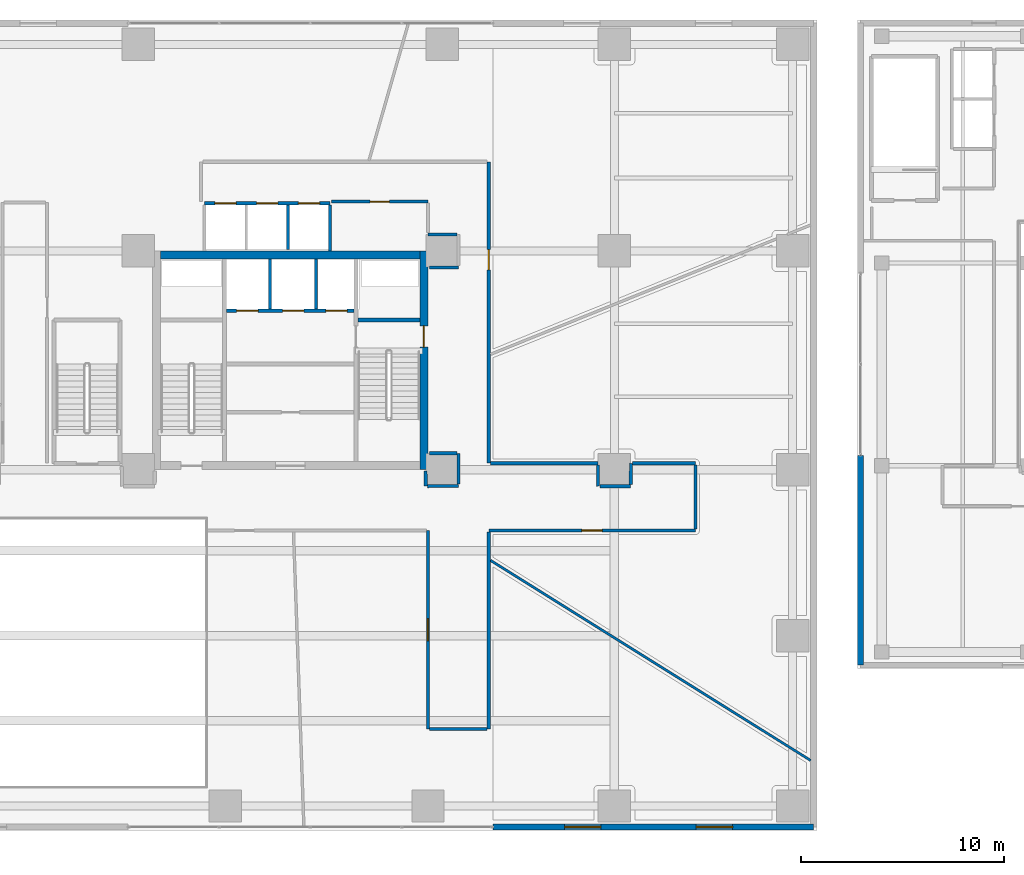
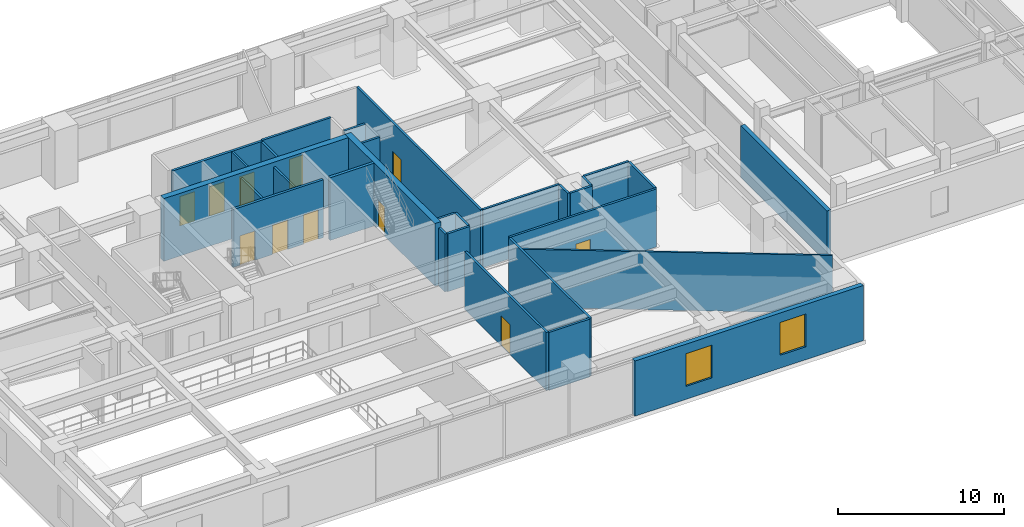
# One storey, part 18 of 25: 30 walls, 11 doors, 2 windows, 13 openings.
"""IFC4 building model written with IfcOpenShell, lengths in metres."""

from ifc_helpers import new_model, si_unit, direction, frame, frame_2d, origin, place, context, subcontext, project, spatial, rectangle, extrude, source, transform, mapped, material, layer, layer_set, type_object, type_shapes, element, fill, save


model = new_model("IFC4")

# Units and contexts
model_context = context("Model", 3, precision=1e-05, world=origin(), true_north=direction((0.0, 1.0)))
body_context = subcontext(model_context, "Body", "Model", "MODEL_VIEW")
ifc_project = project(units=[si_unit("LENGTHUNIT", "METRE"), si_unit("AREAUNIT", "SQUARE_METRE"), si_unit("VOLUMEUNIT", "CUBIC_METRE"), si_unit("PLANEANGLEUNIT", "RADIAN"), si_unit("MASSUNIT", "GRAM", prefix="KILO")], contexts=[model_context])

# Site, building, storey
site_placement = place(None, origin())
site = spatial("IfcSite", under=ifc_project, at=site_placement, CompositionType="ELEMENT")
building_placement = place(site_placement, origin())
building = spatial("IfcBuilding", under=site, at=building_placement, Name="Talar Marvaseh", CompositionType="ELEMENT")
storey_placement = place(building_placement, frame((0.0, 0.0, 14.39990234375)))
storey = spatial("IfcBuildingStorey", under=building, at=storey_placement, Name="L03", CompositionType="ELEMENT", Elevation=14.39990234375)

# Wall, openings, windows
ifc_material_1 = material(Name="Precast concrete C45/55", Category="concrete")
ifc_layer_1 = layer(ifc_material_1, 0.31005859375)
ifc_layer_set_1 = layer_set([ifc_layer_1], Name="Precast concrete C45/55")
wall_type_1 = type_object("IfcWallType", Name="Architectural Precast Limestone Podium Facade Wall 310", PredefinedType="SOLIDWALL", material=ifc_layer_set_1)
wall_1_placement = place(storey_placement, frame((51.840087890625, 8.159912109375, 0.0), z_axis=(0.0, 0.0, 1.0), x_axis=(-1.0, 0.0, 0.0)))
wall_1 = element("IfcWall", 1, at=wall_1_placement, inside=storey, type_object=wall_type_1, Name="L03 Podium South-East Facade Wall", PredefinedType="SOLIDWALL", context=body_context, shape_type="SweptSolid", body=[
    extrude(rectangle(XDim=15.840087890625, YDim=0.31005859375, at=frame_2d((7.919921875, 0.0))), origin(), (0.0, 0.0, 1.0), 4.050048828125),
])
opening_1_placement = place(wall_1_placement, frame((4.0, 0.0, 0.949951171875)))
opening_1 = element("IfcOpeningElement", 2, at=opening_1_placement, cuts=wall_1, Name="Opening WN-POD18", PredefinedType="OPENING", context=body_context, shape_type="SweptSolid", body=[
    extrude(rectangle(XDim=1.800048828125, YDim=2.39990234375, at=frame_2d((0.89990234375, 1.199951171875))), frame((0.0, 0.1650390625, 0.0), z_axis=(0.0, -1.0, 0.0), x_axis=(1.0, 0.0, 0.0)), (0.0, 0.0, 1.0), 0.330078125),
])
opening_2_placement = place(wall_1_placement, frame((10.5, 0.0, 0.949951171875)))
opening_2 = element("IfcOpeningElement", 3, at=opening_2_placement, cuts=wall_1, Name="Opening WN-POD18", PredefinedType="OPENING", context=body_context, shape_type="SweptSolid", body=[
    extrude(rectangle(XDim=1.800048828125, YDim=2.39990234375, at=frame_2d((0.89990234375, 1.199951171875))), frame((0.0, 0.1650390625, 0.0), z_axis=(0.0, -1.0, 0.0), x_axis=(1.0, 0.0, 0.0)), (0.0, 0.0, 1.0), 0.330078125),
])
ifc_material_2 = material(Name="Laminated Low-E Solar Glass", Category="glass")
window_type = type_object("IfcWindowType", Name="Podium Recessed Punched Solar Window 1800x2400", PartitioningType="SINGLE_PANEL", PredefinedType="WINDOW", material=ifc_material_2)
shared_shape_1 = source(origin(), body_context, "Body", "SweptSolid", [
    extrude(rectangle(XDim=1.800048828125, YDim=2.39990234375, at=frame_2d((0.89990234375, 1.199951171875))), frame((0.0, 0.030029296875, 0.0), z_axis=(0.0, -1.0, 0.0), x_axis=(1.0, 0.0, 0.0)), (0.0, 0.0, 1.0), 0.06005859375),
])
type_shapes(window_type, [shared_shape_1])
window_1_placement = place(opening_1_placement, origin())
window_1 = element("IfcWindow", 4, at=window_1_placement, inside=storey, type_object=window_type, Name="L03 Podium Solar Window", OverallHeight=2.39990234375, OverallWidth=1.800048828125, PartitioningType="SINGLE_PANEL", PredefinedType="WINDOW", context=body_context, shape_type="MappedRepresentation", body=[
    mapped(shared_shape_1, transform((0.0, 0.0, 0.0), x_axis=(1.0, 0.0, 0.0), y_axis=(0.0, 1.0, 0.0), z_axis=(0.0, 0.0, 1.0), scale=1.0)),
])
fill(opening_1, window_1)
window_2_placement = place(opening_2_placement, origin())
window_2 = element("IfcWindow", 5, at=window_2_placement, inside=storey, type_object=window_type, Name="L03 Podium Solar Window", OverallHeight=2.39990234375, OverallWidth=1.800048828125, PartitioningType="SINGLE_PANEL", PredefinedType="WINDOW", context=body_context, shape_type="MappedRepresentation", body=[
    mapped(shared_shape_1, transform((0.0, 0.0, 0.0), x_axis=(1.0, 0.0, 0.0), y_axis=(0.0, 1.0, 0.0), z_axis=(0.0, 0.0, 1.0), scale=1.0)),
])
fill(opening_2, window_2)

# Wall, opening, door
ifc_material_3 = material(Name="Gypsum Board Partition Assembly")
ifc_layer_2 = layer(ifc_material_3, 0.155029296875)
ifc_layer_set_2 = layer_set([ifc_layer_2], Name="Gypsum Board Partition Assembly")
wall_type_2 = type_object("IfcWallType", Name="Corridor Fire-Rated Acoustic Partition 155", PredefinedType="PARTITIONING", material=ifc_layer_set_2)
wall_2_placement = place(storey_placement, frame((32.800048828125, 13.0, 0.0), z_axis=(0.0, 0.0, 1.0), x_axis=(0.0, 1.0, 0.0)))
wall_2 = element("IfcWall", 6, at=wall_2_placement, inside=storey, type_object=wall_type_2, Name="L03 Interior Partition Wall", PredefinedType="PARTITIONING", context=body_context, shape_type="SweptSolid", body=[
    extrude(rectangle(XDim=9.800048828125, YDim=0.155029296875, at=frame_2d((4.89990234375, 0.0))), origin(), (0.0, 0.0, 1.0), 4.25),
])
opening_3_placement = place(wall_2_placement, frame((4.35009765625, 0.0, 0.0)))
opening_3 = element("IfcOpeningElement", 7, at=opening_3_placement, cuts=wall_2, Name="Opening DR-RM110", PredefinedType="OPENING", context=body_context, shape_type="SweptSolid", body=[
    extrude(rectangle(XDim=1.10009765625, YDim=2.199951171875, at=frame_2d((0.550048828125, 1.10009765625))), frame((0.0, 0.08740234375, 0.0), z_axis=(0.0, -1.0, 0.0), x_axis=(1.0, 0.0, 0.0)), (0.0, 0.0, 1.0), 0.175048828125),
])
ifc_material_4 = material(Name="Acoustic Engineered Oak Timber", Category="wood")
door_type_1 = type_object("IfcDoorType", Name="Assembly and Reading Hall Door 1100x2200", OperationType="NOTDEFINED", PredefinedType="DOOR", material=ifc_material_4)
shared_shape_2 = source(origin(), body_context, "Body", "SweptSolid", [
    extrude(rectangle(XDim=1.10009765625, YDim=2.199951171875, at=frame_2d((0.550048828125, 1.10009765625))), frame((0.0, 0.02490234375, 0.0), z_axis=(0.0, -1.0, 0.0), x_axis=(1.0, 0.0, 0.0)), (0.0, 0.0, 1.0), 0.050048828125),
])
type_shapes(door_type_1, [shared_shape_2])
door_1_placement = place(opening_3_placement, origin())
door_1 = element("IfcDoor", 8, at=door_1_placement, inside=storey, type_object=door_type_1, Name="L03 Architectural Models Gallery Door", OperationType="SINGLE_SWING_RIGHT", OverallHeight=2.199951171875, OverallWidth=1.10009765625, PredefinedType="DOOR", context=body_context, shape_type="MappedRepresentation", body=[
    mapped(shared_shape_2, transform((0.0, 0.0, 0.0), x_axis=(1.0, 0.0, 0.0), y_axis=(0.0, 1.0, 0.0), z_axis=(0.0, 0.0, 1.0), scale=1.0)),
])
fill(opening_3, door_1)

wall_3_placement = place(storey_placement, frame((32.800048828125, 39.0400390625, 0.0), z_axis=(0.0, 0.0, 1.0), x_axis=(-1.0, 0.0, 0.0)))
wall_3 = element("IfcWall", 9, at=wall_3_placement, inside=storey, type_object=wall_type_2, Name="L03 Interior Partition Wall", PredefinedType="PARTITIONING", context=body_context, shape_type="SweptSolid", body=[
    extrude(rectangle(XDim=4.77001953125, YDim=0.155029296875, at=frame_2d((2.385009765625, 0.0))), origin(), (0.0, 0.0, 1.0), 4.25),
])
opening_4_placement = place(wall_3_placement, frame((1.909912109375, 0.0, 0.0)))
opening_4 = element("IfcOpeningElement", 10, at=opening_4_placement, cuts=wall_3, Name="Opening DR-WC095", PredefinedType="OPENING", context=body_context, shape_type="SweptSolid", body=[
    extrude(rectangle(XDim=0.949951171875, YDim=2.14990234375, at=frame_2d((0.47509765625, 1.074951171875))), frame((0.0, 0.08740234375, 0.0), z_axis=(0.0, -1.0, 0.0), x_axis=(1.0, 0.0, 0.0)), (0.0, 0.0, 1.0), 0.175048828125),
])
door_type_2 = type_object("IfcDoorType", Name="Washroom and Service Room Door 950x2150", OperationType="NOTDEFINED", PredefinedType="DOOR", material=ifc_material_4)
shared_shape_3 = source(origin(), body_context, "Body", "SweptSolid", [
    extrude(rectangle(XDim=0.949951171875, YDim=2.14990234375, at=frame_2d((0.47509765625, 1.074951171875))), frame((0.0, 0.02490234375, 0.0), z_axis=(0.0, -1.0, 0.0), x_axis=(1.0, 0.0, 0.0)), (0.0, 0.0, 1.0), 0.050048828125),
])
type_shapes(door_type_2, [shared_shape_3])
door_2_placement = place(opening_4_placement, origin())
door_2 = element("IfcDoor", 11, at=door_2_placement, inside=storey, type_object=door_type_2, Name="L03 WC Public Washrooms Door", OperationType="SINGLE_SWING_LEFT", OverallHeight=2.14990234375, OverallWidth=0.949951171875, PredefinedType="DOOR", context=body_context, shape_type="MappedRepresentation", body=[
    mapped(shared_shape_3, transform((0.0, 0.0, 0.0), x_axis=(1.0, 0.0, 0.0), y_axis=(0.0, 1.0, 0.0), z_axis=(0.0, 0.0, 1.0), scale=1.0)),
])
fill(opening_4, door_2)

wall_4_placement = place(storey_placement, frame((35.800048828125, 41.0, 0.0), z_axis=(0.0, 0.0, 1.0), x_axis=(0.0, -1.0, 0.0)))
wall_4 = element("IfcWall", 12, at=wall_4_placement, inside=storey, type_object=wall_type_2, Name="L03 Interior Partition Wall", PredefinedType="PARTITIONING", context=body_context, shape_type="SweptSolid", body=[
    extrude(rectangle(XDim=14.8798828125, YDim=0.155029296875, at=frame_2d((7.43994140625, 0.0))), origin(), (0.0, 0.0, 1.0), 4.25),
])
opening_5_placement = place(wall_4_placement, frame((4.340087890625, 0.0, 0.0)))
opening_5 = element("IfcOpeningElement", 13, at=opening_5_placement, cuts=wall_4, Name="Opening DR-RM100", PredefinedType="OPENING", context=body_context, shape_type="SweptSolid", body=[
    extrude(rectangle(XDim=1.0, YDim=2.14990234375, at=frame_2d((0.5, 1.074951171875))), frame((0.0, 0.08740234375, 0.0), z_axis=(0.0, -1.0, 0.0), x_axis=(1.0, 0.0, 0.0)), (0.0, 0.0, 1.0), 0.175048828125),
])
door_type_3 = type_object("IfcDoorType", Name="Corridor Fire-Rated Gallery Door 1000x2150", OperationType="NOTDEFINED", PredefinedType="DOOR", material=ifc_material_4)
shared_shape_4 = source(origin(), body_context, "Body", "SweptSolid", [
    extrude(rectangle(XDim=1.0, YDim=2.14990234375, at=frame_2d((0.5, 1.074951171875))), frame((0.0, 0.02490234375, 0.0), z_axis=(0.0, -1.0, 0.0), x_axis=(1.0, 0.0, 0.0)), (0.0, 0.0, 1.0), 0.050048828125),
])
type_shapes(door_type_3, [shared_shape_4])
door_3_placement = place(opening_5_placement, origin())
door_3 = element("IfcDoor", 14, at=door_3_placement, inside=storey, type_object=door_type_3, Name="L03 Conservation Framing Workshop Door", OperationType="SINGLE_SWING_RIGHT", OverallHeight=2.14990234375, OverallWidth=1.0, PredefinedType="DOOR", context=body_context, shape_type="MappedRepresentation", body=[
    mapped(shared_shape_4, transform((0.0, 0.0, 0.0), x_axis=(1.0, 0.0, 0.0), y_axis=(0.0, 1.0, 0.0), z_axis=(0.0, 0.0, 1.0), scale=1.0)),
])
fill(opening_5, door_3)

wall_5_placement = place(storey_placement, frame((46.0, 22.800048828125, 0.0), z_axis=(0.0, 0.0, 1.0), x_axis=(-1.0, 0.0, 0.0)))
wall_5 = element("IfcWall", 15, at=wall_5_placement, inside=storey, type_object=wall_type_2, Name="L03 Interior Partition Wall", PredefinedType="PARTITIONING", context=body_context, shape_type="SweptSolid", body=[
    extrude(rectangle(XDim=10.199951171875, YDim=0.155029296875, at=frame_2d((5.10009765625, 0.0))), origin(), (0.0, 0.0, 1.0), 4.25),
])
opening_6_placement = place(wall_5_placement, frame((4.60009765625, 0.0, 0.0)))
opening_6 = element("IfcOpeningElement", 16, at=opening_6_placement, cuts=wall_5, Name="Opening DR-RM100", PredefinedType="OPENING", context=body_context, shape_type="SweptSolid", body=[
    extrude(rectangle(XDim=1.0, YDim=2.14990234375, at=frame_2d((0.5, 1.074951171875))), frame((0.0, 0.08740234375, 0.0), z_axis=(0.0, -1.0, 0.0), x_axis=(1.0, 0.0, 0.0)), (0.0, 0.0, 1.0), 0.175048828125),
])
door_4_placement = place(opening_6_placement, origin())
door_4 = element("IfcDoor", 17, at=door_4_placement, inside=storey, type_object=door_type_3, Name="L03 Projection and Sound Control Room Door", OperationType="SINGLE_SWING_LEFT", OverallHeight=2.14990234375, OverallWidth=1.0, PredefinedType="DOOR", context=body_context, shape_type="MappedRepresentation", body=[
    mapped(shared_shape_4, transform((0.0, 0.0, 0.0), x_axis=(1.0, 0.0, 0.0), y_axis=(0.0, 1.0, 0.0), z_axis=(0.0, 0.0, 1.0), scale=1.0)),
])
fill(opening_6, door_4)

# Walls
wall_6_placement = place(storey_placement, frame((32.68505859375, 25.72998046875, 0.0), z_axis=(0.0, 0.0, 1.0), x_axis=(0.010511902743, -0.999944748424, 0.0)))
element("IfcWall", 18, at=wall_6_placement, inside=storey, type_object=wall_type_2, Name="L03 Interior Partition Wall", PredefinedType="PARTITIONING", context=body_context, shape_type="SweptSolid", body=[
    extrude(rectangle(XDim=0.7431640625, YDim=0.155029296875, at=frame_2d((0.37158203125, 0.0))), origin(), (0.0, 0.0, 1.0), 4.25),
])
wall_7_placement = place(storey_placement, frame((32.7763671875, 24.987548828125, 0.0), z_axis=(0.0, 0.0, 1.0), x_axis=(0.999967255963, 0.008092404007, 0.0)))
element("IfcWall", 19, at=wall_7_placement, inside=storey, type_object=wall_type_2, Name="L03 Interior Partition Wall", PredefinedType="PARTITIONING", context=body_context, shape_type="SweptSolid", body=[
    extrude(rectangle(XDim=1.53857421875, YDim=0.155029296875, at=frame_2d((0.769287109375, 0.0))), origin(), (0.0, 0.0, 1.0), 4.25),
])
wall_8_placement = place(storey_placement, frame((34.314697265625, 25.08349609375, 0.0), z_axis=(0.0, 0.0, 1.0), x_axis=(-0.002717815702, 0.999996306732, 0.0)))
element("IfcWall", 20, at=wall_8_placement, inside=storey, type_object=wall_type_2, Name="L03 Interior Partition Wall", PredefinedType="PARTITIONING", context=body_context, shape_type="SweptSolid", body=[
    extrude(rectangle(XDim=1.527099609375, YDim=0.155029296875, at=frame_2d((0.763671875, 0.0))), origin(), (0.0, 0.0, 1.0), 4.25),
])
wall_9_placement = place(storey_placement, frame((34.22705078125, 26.61083984375, 0.0), z_axis=(0.0, 0.0, 1.0), x_axis=(-0.999995856473, 0.002878721429, 0.0)))
element("IfcWall", 21, at=wall_9_placement, inside=storey, type_object=wall_type_2, Name="L03 Interior Partition Wall", PredefinedType="PARTITIONING", context=body_context, shape_type="SweptSolid", body=[
    extrude(rectangle(XDim=1.35693359375, YDim=0.155029296875, at=frame_2d((0.678466796875, 0.0))), origin(), (0.0, 0.0, 1.0), 4.25),
])
wall_10_placement = place(storey_placement, frame((32.8701171875, 35.78515625, 0.0), z_axis=(0.0, 0.0, 1.0), x_axis=(0.99999584892, 0.002881343971, 0.0)))
element("IfcWall", 22, at=wall_10_placement, inside=storey, type_object=wall_type_2, Name="L03 Interior Partition Wall", PredefinedType="PARTITIONING", context=body_context, shape_type="SweptSolid", body=[
    extrude(rectangle(XDim=1.4404296875, YDim=0.155029296875, at=frame_2d((0.72021484375, 0.0))), origin(), (0.0, 0.0, 1.0), 4.25),
])
wall_11_placement = place(storey_placement, frame((34.22802734375, 37.409912109375, 0.0), z_axis=(0.0, 0.0, 1.0), x_axis=(-0.999993554729, 0.003590334185, 0.0)))
element("IfcWall", 23, at=wall_11_placement, inside=storey, type_object=wall_type_2, Name="L03 Interior Partition Wall", PredefinedType="PARTITIONING", context=body_context, shape_type="SweptSolid", body=[
    extrude(rectangle(XDim=1.427978515625, YDim=0.155029296875, at=frame_2d((0.7138671875, 0.0))), origin(), (0.0, 0.0, 1.0), 4.25),
])
wall_12_placement = place(storey_placement, frame((35.883544921875, 26.1201171875, 0.0), z_axis=(0.0, 0.0, 1.0), x_axis=(1.0, 0.0, 0.0)))
element("IfcWall", 24, at=wall_12_placement, inside=storey, type_object=wall_type_2, Name="L03 Interior Partition Wall", PredefinedType="PARTITIONING", context=body_context, shape_type="SweptSolid", body=[
    extrude(rectangle(XDim=5.301513671875, YDim=0.155029296875, at=frame_2d((2.65087890625, 0.0))), origin(), (0.0, 0.0, 1.0), 4.25),
])
wall_13_placement = place(storey_placement, frame((41.18603515625, 26.03662109375, 0.0), z_axis=(0.0, 0.0, 1.0), x_axis=(0.013233110982, -0.999912438553, 0.0)))
element("IfcWall", 25, at=wall_13_placement, inside=storey, type_object=wall_type_2, Name="L03 Interior Partition Wall", PredefinedType="PARTITIONING", context=body_context, shape_type="SweptSolid", body=[
    extrude(rectangle(XDim=1.051513671875, YDim=0.155029296875, at=frame_2d((0.52587890625, 0.0))), origin(), (0.0, 0.0, 1.0), 4.25),
])
wall_14_placement = place(storey_placement, frame((41.283447265625, 24.985107421875, 0.0), z_axis=(0.0, 0.0, 1.0), x_axis=(0.999998718362, 0.001601022604, 0.0)))
element("IfcWall", 26, at=wall_14_placement, inside=storey, type_object=wall_type_2, Name="L03 Interior Partition Wall", PredefinedType="PARTITIONING", context=body_context, shape_type="SweptSolid", body=[
    extrude(rectangle(XDim=1.52490234375, YDim=0.155029296875, at=frame_2d((0.762451171875, 0.0))), origin(), (0.0, 0.0, 1.0), 4.25),
])
wall_15_placement = place(storey_placement, frame((42.808837890625, 25.071044921875, 0.0), z_axis=(0.0, 0.0, 1.0), x_axis=(0.005817914102, 0.999983075795, 0.0)))
element("IfcWall", 27, at=wall_15_placement, inside=storey, type_object=wall_type_2, Name="L03 Interior Partition Wall", PredefinedType="PARTITIONING", context=body_context, shape_type="SweptSolid", body=[
    extrude(rectangle(XDim=1.049072265625, YDim=0.155029296875, at=frame_2d((0.5244140625, 0.0))), origin(), (0.0, 0.0, 1.0), 4.25),
])
wall_16_placement = place(storey_placement, frame((42.8984375, 26.1201171875, 0.0), z_axis=(0.0, 0.0, 1.0), x_axis=(1.0, 0.0, 0.0)))
element("IfcWall", 28, at=wall_16_placement, inside=storey, type_object=wall_type_2, Name="L03 Interior Partition Wall", PredefinedType="PARTITIONING", context=body_context, shape_type="SweptSolid", body=[
    extrude(rectangle(XDim=3.1015625, YDim=0.155029296875, at=frame_2d((1.55078125, 0.0))), origin(), (0.0, 0.0, 1.0), 4.25),
])
wall_17_placement = place(storey_placement, frame((46.0, 26.03662109375, 0.0), z_axis=(0.0, 0.0, 1.0), x_axis=(0.0, -1.0, 0.0)))
element("IfcWall", 29, at=wall_17_placement, inside=storey, type_object=wall_type_2, Name="L03 Interior Partition Wall", PredefinedType="PARTITIONING", context=body_context, shape_type="SweptSolid", body=[
    extrude(rectangle(XDim=3.153076171875, YDim=0.155029296875, at=frame_2d((1.57666015625, 0.0))), origin(), (0.0, 0.0, 1.0), 4.25),
])
wall_18_placement = place(storey_placement, frame((35.800048828125, 22.716552734375, 0.0), z_axis=(0.0, 0.0, 1.0), x_axis=(0.0, -1.0, 0.0)))
element("IfcWall", 30, at=wall_18_placement, inside=storey, type_object=wall_type_2, Name="L03 Interior Partition Wall", PredefinedType="PARTITIONING", context=body_context, shape_type="SweptSolid", body=[
    extrude(rectangle(XDim=9.716552734375, YDim=0.155029296875, at=frame_2d((4.8583984375, 0.0))), origin(), (0.0, 0.0, 1.0), 4.25),
])
wall_19_placement = place(storey_placement, frame((35.716552734375, 13.0, 0.0), z_axis=(0.0, 0.0, 1.0), x_axis=(-1.0, 0.0, 0.0)))
element("IfcWall", 31, at=wall_19_placement, inside=storey, type_object=wall_type_2, Name="L03 Interior Partition Wall", PredefinedType="PARTITIONING", context=body_context, shape_type="SweptSolid", body=[
    extrude(rectangle(XDim=2.8330078125, YDim=0.155029296875, at=frame_2d((1.41650390625, 0.0))), origin(), (0.0, 0.0, 1.0), 4.25),
])
ifc_layer_3 = layer(ifc_material_3, 0.1201171875)
ifc_layer_set_3 = layer_set([ifc_layer_3], Name="Gypsum Board Partition Assembly")
wall_type_3 = type_object("IfcWallType", Name="Demountable Studio Room Partition 120", PredefinedType="PARTITIONING", material=ifc_layer_set_3)
wall_20_placement = place(storey_placement, frame((35.883544921875, 21.327880859375, 0.0), z_axis=(0.0, 0.0, 1.0), x_axis=(0.848024058113, -0.529957731203, 0.0)))
element("IfcWall", 32, at=wall_20_placement, inside=storey, type_object=wall_type_3, Name="L03 Interior Partition Wall", PredefinedType="PARTITIONING", context=body_context, shape_type="SweptSolid", body=[
    extrude(rectangle(XDim=18.63916015625, YDim=0.1201171875, at=frame_2d((9.319580078125, 0.0))), origin(), (0.0, 0.0, 1.0), 4.25),
])
ifc_layer_4 = layer(ifc_material_1, 0.14501953125)
ifc_layer_set_4 = layer_set([ifc_layer_4], Name="Precast concrete C45/55")
wall_type_4 = type_object("IfcWallType", Name="Fire-Rated Lift Divider Wall 145", PredefinedType="SOLIDWALL", material=ifc_layer_set_4)
for number, where, z_axis, x_axis, name in (
    (33, (25.0, 33.743408203125, 0.0), (0.0, 0.0, 1.0), (0.0, 1.0, 0.0), "L03 FFL-1/FFL-2 Divider"),
    (34, (27.280029296875, 33.743408203125, 0.0), (0.0, 0.0, 1.0), (0.0, 1.0, 0.0), "L03 FFL-2/SVL-1 Divider"),
):
    element("IfcWall", number, at=place(storey_placement, frame(where, z_axis=z_axis, x_axis=x_axis)), inside=storey, type_object=wall_type_4, Name=name, PredefinedType="SOLIDWALL", context=body_context, shape_type="SweptSolid", body=[
        extrude(rectangle(XDim=2.45654296875, YDim=0.14501953125, at=frame_2d((1.228271484375, 0.0))), origin(), (0.0, 0.0, 1.0), 4.25),
    ])
wall_21_placement = place(storey_placement, frame((27.9599609375, 36.60009765625, 0.0), z_axis=(0.0, 0.0, 1.0), x_axis=(0.0, 1.0, 0.0)))
element("IfcWall", 35, at=wall_21_placement, inside=storey, type_object=wall_type_4, Name="L03 Low-Rise Bank East Wall", PredefinedType="SOLIDWALL", context=body_context, shape_type="SweptSolid", body=[
    extrude(rectangle(XDim=2.266357421875, YDim=0.14501953125, at=frame_2d((1.13330078125, 0.0))), origin(), (0.0, 0.0, 1.0), 4.25),
])
wall_22_placement = place(storey_placement, frame((25.889892578125, 36.659912109375, 0.0), z_axis=(0.0, 0.0, 1.0), x_axis=(0.0, 1.0, 0.0)))
element("IfcWall", 36, at=wall_22_placement, inside=storey, type_object=wall_type_4, Name="L03 PL-L2/PL-L3 Divider", PredefinedType="SOLIDWALL", context=body_context, shape_type="SweptSolid", body=[
    extrude(rectangle(XDim=2.20654296875, YDim=0.14501953125, at=frame_2d((1.103271484375, 0.0))), origin(), (0.0, 0.0, 1.0), 4.25),
])

# Wall, openings, doors
ifc_layer_5 = layer(ifc_material_1, 0.175048828125)
ifc_layer_set_5 = layer_set([ifc_layer_5], Name="Precast concrete C45/55")
wall_type_5 = type_object("IfcWallType", Name="Fire-Rated Lift Hoistway Enclosure Wall 175", PredefinedType="SOLIDWALL", material=ifc_layer_set_5)
wall_23_placement = place(storey_placement, frame((22.860107421875, 33.64990234375, 0.0), z_axis=(0.0, 0.0, 1.0), x_axis=(1.0, 0.0, 0.0)))
wall_23 = element("IfcWall", 37, at=wall_23_placement, inside=storey, type_object=wall_type_5, Name="L03 Firefighting and Service Lift Front Wall", PredefinedType="SOLIDWALL", context=body_context, shape_type="SweptSolid", body=[
    extrude(rectangle(XDim=6.27978515625, YDim=0.175048828125, at=frame_2d((3.139892578125, 0.0))), origin(), (0.0, 0.0, 1.0), 4.25),
])
opening_7_placement = place(wall_23_placement, frame((0.5, 0.0, 0.0)))
opening_7 = element("IfcOpeningElement", 38, at=opening_7_placement, cuts=wall_23, Name="Opening LD-FF1", PredefinedType="OPENING", context=body_context, shape_type="SweptSolid", body=[
    extrude(rectangle(XDim=1.050048828125, YDim=2.14990234375, at=frame_2d((0.52490234375, 1.074951171875))), frame((0.0, 0.09765625, 0.0), z_axis=(0.0, -1.0, 0.0), x_axis=(1.0, 0.0, 0.0)), (0.0, 0.0, 1.0), 0.195068359375),
])
opening_8_placement = place(wall_23_placement, frame((2.760009765625, 0.0, 0.0)))
opening_8 = element("IfcOpeningElement", 39, at=opening_8_placement, cuts=wall_23, Name="Opening LD-FF2", PredefinedType="OPENING", context=body_context, shape_type="SweptSolid", body=[
    extrude(rectangle(XDim=1.050048828125, YDim=2.14990234375, at=frame_2d((0.52490234375, 1.074951171875))), frame((0.0, 0.09765625, 0.0), z_axis=(0.0, -1.0, 0.0), x_axis=(1.0, 0.0, 0.0)), (0.0, 0.0, 1.0), 0.195068359375),
])
opening_9_placement = place(wall_23_placement, frame((4.89990234375, 0.0, 0.0)))
opening_9 = element("IfcOpeningElement", 40, at=opening_9_placement, cuts=wall_23, Name="Opening LD-SV1", PredefinedType="OPENING", context=body_context, shape_type="SweptSolid", body=[
    extrude(rectangle(XDim=1.050048828125, YDim=2.14990234375, at=frame_2d((0.52490234375, 1.074951171875))), frame((0.0, 0.09765625, 0.0), z_axis=(0.0, -1.0, 0.0), x_axis=(1.0, 0.0, 0.0)), (0.0, 0.0, 1.0), 0.195068359375),
])
ifc_material_5 = material(Name="Stainless Steel Grade 316", Category="steel")
door_type_4 = type_object("IfcDoorType", Name="Automatic Sliding Lift Landing Door 1050x2150", OperationType="NOTDEFINED", PredefinedType="DOOR", material=ifc_material_5)
shared_shape_5 = source(origin(), body_context, "Body", "SweptSolid", [
    extrude(rectangle(XDim=1.050048828125, YDim=2.14990234375, at=frame_2d((0.52490234375, 1.074951171875))), frame((0.0, 0.02490234375, 0.0), z_axis=(0.0, -1.0, 0.0), x_axis=(1.0, 0.0, 0.0)), (0.0, 0.0, 1.0), 0.050048828125),
])
type_shapes(door_type_4, [shared_shape_5])
door_5_placement = place(opening_7_placement, origin())
door_5 = element("IfcDoor", 41, at=door_5_placement, inside=storey, type_object=door_type_4, Name="L03 Lift FFL-1 Sliding Landing Door", OperationType="SLIDING_TO_LEFT", OverallHeight=2.14990234375, OverallWidth=1.050048828125, PredefinedType="DOOR", context=body_context, shape_type="MappedRepresentation", body=[
    mapped(shared_shape_5, transform((0.0, 0.0, 0.0), x_axis=(1.0, 0.0, 0.0), y_axis=(0.0, 1.0, 0.0), z_axis=(0.0, 0.0, 1.0), scale=1.0)),
])
fill(opening_7, door_5)
door_6_placement = place(opening_8_placement, origin())
door_6 = element("IfcDoor", 42, at=door_6_placement, inside=storey, type_object=door_type_4, Name="L03 Lift FFL-2 Sliding Landing Door", OperationType="SLIDING_TO_LEFT", OverallHeight=2.14990234375, OverallWidth=1.050048828125, PredefinedType="DOOR", context=body_context, shape_type="MappedRepresentation", body=[
    mapped(shared_shape_5, transform((0.0, 0.0, 0.0), x_axis=(1.0, 0.0, 0.0), y_axis=(0.0, 1.0, 0.0), z_axis=(0.0, 0.0, 1.0), scale=1.0)),
])
fill(opening_8, door_6)
door_7_placement = place(opening_9_placement, origin())
door_7 = element("IfcDoor", 43, at=door_7_placement, inside=storey, type_object=door_type_4, Name="L03 Lift SVL-1 Sliding Landing Door", OperationType="SLIDING_TO_LEFT", OverallHeight=2.14990234375, OverallWidth=1.050048828125, PredefinedType="DOOR", context=body_context, shape_type="MappedRepresentation", body=[
    mapped(shared_shape_5, transform((0.0, 0.0, 0.0), x_axis=(1.0, 0.0, 0.0), y_axis=(0.0, 1.0, 0.0), z_axis=(0.0, 0.0, 1.0), scale=1.0)),
])
fill(opening_9, door_7)

wall_24_placement = place(storey_placement, frame((21.760009765625, 38.9599609375, 0.0), z_axis=(0.0, 0.0, 1.0), x_axis=(1.0, 0.0, 0.0)))
wall_24 = element("IfcWall", 44, at=wall_24_placement, inside=storey, type_object=wall_type_5, Name="L03 Low-Rise Lift Bank Front Wall", PredefinedType="SOLIDWALL", context=body_context, shape_type="SweptSolid", body=[
    extrude(rectangle(XDim=6.199951171875, YDim=0.175048828125, at=frame_2d((3.10009765625, 0.0))), origin(), (0.0, 0.0, 1.0), 4.25),
])
opening_10_placement = place(wall_24_placement, frame((0.52001953125, 0.0, 0.0)))
opening_10 = element("IfcOpeningElement", 45, at=opening_10_placement, cuts=wall_24, Name="Opening LD-PLL1", PredefinedType="OPENING", context=body_context, shape_type="SweptSolid", body=[
    extrude(rectangle(XDim=1.050048828125, YDim=2.14990234375, at=frame_2d((0.52490234375, 1.074951171875))), frame((0.0, 0.09765625, 0.0), z_axis=(0.0, -1.0, 0.0), x_axis=(1.0, 0.0, 0.0)), (0.0, 0.0, 1.0), 0.195068359375),
])
opening_11_placement = place(wall_24_placement, frame((2.580078125, 0.0, 0.0)))
opening_11 = element("IfcOpeningElement", 46, at=opening_11_placement, cuts=wall_24, Name="Opening LD-PLL2", PredefinedType="OPENING", context=body_context, shape_type="SweptSolid", body=[
    extrude(rectangle(XDim=1.050048828125, YDim=2.14990234375, at=frame_2d((0.52490234375, 1.074951171875))), frame((0.0, 0.09765625, 0.0), z_axis=(0.0, -1.0, 0.0), x_axis=(1.0, 0.0, 0.0)), (0.0, 0.0, 1.0), 0.195068359375),
])
opening_12_placement = place(wall_24_placement, frame((4.639892578125, 0.0, 0.0)))
opening_12 = element("IfcOpeningElement", 47, at=opening_12_placement, cuts=wall_24, Name="Opening LD-PLL3", PredefinedType="OPENING", context=body_context, shape_type="SweptSolid", body=[
    extrude(rectangle(XDim=1.050048828125, YDim=2.14990234375, at=frame_2d((0.52490234375, 1.074951171875))), frame((0.0, 0.09765625, 0.0), z_axis=(0.0, -1.0, 0.0), x_axis=(1.0, 0.0, 0.0)), (0.0, 0.0, 1.0), 0.195068359375),
])
door_8_placement = place(opening_10_placement, origin())
door_8 = element("IfcDoor", 48, at=door_8_placement, inside=storey, type_object=door_type_4, Name="L03 Lift PL-L1 Sliding Landing Door", OperationType="SLIDING_TO_LEFT", OverallHeight=2.14990234375, OverallWidth=1.050048828125, PredefinedType="DOOR", context=body_context, shape_type="MappedRepresentation", body=[
    mapped(shared_shape_5, transform((0.0, 0.0, 0.0), x_axis=(1.0, 0.0, 0.0), y_axis=(0.0, 1.0, 0.0), z_axis=(0.0, 0.0, 1.0), scale=1.0)),
])
fill(opening_10, door_8)
door_9_placement = place(opening_11_placement, origin())
door_9 = element("IfcDoor", 49, at=door_9_placement, inside=storey, type_object=door_type_4, Name="L03 Lift PL-L2 Sliding Landing Door", OperationType="SLIDING_TO_LEFT", OverallHeight=2.14990234375, OverallWidth=1.050048828125, PredefinedType="DOOR", context=body_context, shape_type="MappedRepresentation", body=[
    mapped(shared_shape_5, transform((0.0, 0.0, 0.0), x_axis=(1.0, 0.0, 0.0), y_axis=(0.0, 1.0, 0.0), z_axis=(0.0, 0.0, 1.0), scale=1.0)),
])
fill(opening_11, door_9)
door_10_placement = place(opening_12_placement, origin())
door_10 = element("IfcDoor", 50, at=door_10_placement, inside=storey, type_object=door_type_4, Name="L03 Lift PL-L3 Sliding Landing Door", OperationType="SLIDING_TO_LEFT", OverallHeight=2.14990234375, OverallWidth=1.050048828125, PredefinedType="DOOR", context=body_context, shape_type="MappedRepresentation", body=[
    mapped(shared_shape_5, transform((0.0, 0.0, 0.0), x_axis=(1.0, 0.0, 0.0), y_axis=(0.0, 1.0, 0.0), z_axis=(0.0, 0.0, 1.0), scale=1.0)),
])
fill(opening_12, door_10)

# Wall, opening, door
ifc_material_6 = material(Name="Concrete C70/85", Category="concrete")
ifc_layer_6 = layer(ifc_material_6, 0.39990234375)
ifc_layer_set_6 = layer_set([ifc_layer_6], Name="Concrete C70/85")
wall_type_6 = type_object("IfcWallType", Name="Lower Core Reinforced Concrete Shear Wall 400", PredefinedType="SHEAR", material=ifc_layer_set_6)
wall_25_placement = place(storey_placement, frame((32.60009765625, 36.60009765625, 0.0), z_axis=(0.0, 0.0, 1.0), x_axis=(0.0, -1.0, 0.0)))
wall_25 = element("IfcWall", 51, at=wall_25_placement, inside=storey, type_object=wall_type_6, Name="L03 East Core Shear Wall", PredefinedType="SHEAR", context=body_context, shape_type="SweptSolid", body=[
    extrude(rectangle(XDim=10.800048828125, YDim=0.39990234375, at=frame_2d((5.39990234375, 0.0))), origin(), (0.0, 0.0, 1.0), 4.60009765625),
])
opening_13_placement = place(wall_25_placement, frame((3.699951171875, 0.0, 0.0)))
opening_13 = element("IfcOpeningElement", 52, at=opening_13_placement, cuts=wall_25, Name="Opening DR-ST105", PredefinedType="OPENING", context=body_context, shape_type="SweptSolid", body=[
    extrude(rectangle(XDim=1.050048828125, YDim=2.14990234375, at=frame_2d((0.52490234375, 1.074951171875))), frame((0.0, 0.2099609375, 0.0), z_axis=(0.0, -1.0, 0.0), x_axis=(1.0, 0.0, 0.0)), (0.0, 0.0, 1.0), 0.419921875),
])
ifc_material_7 = material(Name="Fire-Rated Steel Door Leaf", Category="steel")
door_type_5 = type_object("IfcDoorType", Name="Protected Exit Stair Fire Door 1050x2150", OperationType="NOTDEFINED", PredefinedType="DOOR", material=ifc_material_7)
shared_shape_6 = source(origin(), body_context, "Body", "SweptSolid", [
    extrude(rectangle(XDim=1.050048828125, YDim=2.14990234375, at=frame_2d((0.52490234375, 1.074951171875))), frame((0.0, 0.02490234375, 0.0), z_axis=(0.0, -1.0, 0.0), x_axis=(1.0, 0.0, 0.0)), (0.0, 0.0, 1.0), 0.050048828125),
])
type_shapes(door_type_5, [shared_shape_6])
door_11_placement = place(opening_13_placement, origin())
door_11 = element("IfcDoor", 53, at=door_11_placement, inside=storey, type_object=door_type_5, Name="L03 Stair ST-2 Corridor Exit Door", OperationType="SINGLE_SWING_LEFT", OverallHeight=2.14990234375, OverallWidth=1.050048828125, PredefinedType="DOOR", context=body_context, shape_type="MappedRepresentation", body=[
    mapped(shared_shape_6, transform((0.0, 0.0, 0.0), x_axis=(1.0, 0.0, 0.0), y_axis=(0.0, 1.0, 0.0), z_axis=(0.0, 0.0, 1.0), scale=1.0)),
])
fill(opening_13, door_11)

# Walls
wall_26_placement = place(storey_placement, frame((19.60009765625, 36.39990234375, 0.0), z_axis=(0.0, 0.0, 1.0), x_axis=(1.0, 0.0, 0.0)))
element("IfcWall", 54, at=wall_26_placement, inside=storey, type_object=wall_type_6, Name="L03 North Core Shear Wall", PredefinedType="SHEAR", context=body_context, shape_type="SweptSolid", body=[
    extrude(rectangle(XDim=12.7998046875, YDim=0.39990234375, at=frame_2d((6.39990234375, 0.0))), origin(), (0.0, 0.0, 1.0), 4.60009765625),
])
ifc_layer_7 = layer(ifc_material_1, 0.2900390625)
ifc_layer_set_7 = layer_set([ifc_layer_7], Name="Precast concrete C45/55")
wall_type_7 = type_object("IfcWallType", Name="Market Hall Precast Limestone Bazaar Wall 290", PredefinedType="SOLIDWALL", material=ifc_layer_set_7)
wall_27_placement = place(storey_placement, frame((54.14990234375, 16.14990234375, 0.0), z_axis=(0.0, 0.0, 1.0), x_axis=(0.0, 1.0, 0.0)))
element("IfcWall", 55, at=wall_27_placement, inside=storey, type_object=wall_type_7, Name="L03 Market Hall West-South Wall", PredefinedType="SOLIDWALL", context=body_context, shape_type="SweptSolid", body=[
    extrude(rectangle(XDim=10.35009765625, YDim=0.2900390625, at=frame_2d((5.175048828125, 0.0))), origin(), (0.0, 0.0, 1.0), 3.800048828125),
])
ifc_material_8 = material(Name="Concrete C50/60", Category="concrete")
ifc_layer_8 = layer(ifc_material_8, 0.199951171875)
ifc_layer_set_8 = layer_set([ifc_layer_8], Name="Concrete C50/60")
wall_type_8 = type_object("IfcWallType", Name="Stair Shaft Structural Concrete Shear Wall 200", PredefinedType="SHEAR", material=ifc_layer_set_8)
wall_28_placement = place(storey_placement, frame((29.340087890625, 33.199951171875, 0.0), z_axis=(0.0, 0.0, 1.0), x_axis=(1.0, 0.0, 0.0)))
element("IfcWall", 56, at=wall_28_placement, inside=storey, type_object=wall_type_8, Name="L03 Stair ST-2 North Shear Wall", PredefinedType="SHEAR", context=body_context, shape_type="SweptSolid", body=[
    extrude(rectangle(XDim=3.059814453125, YDim=0.199951171875, at=frame_2d((1.52978515625, 0.0))), origin(), (0.0, 0.0, 1.0), 4.60009765625),
])

save(model, "model.ifc")
